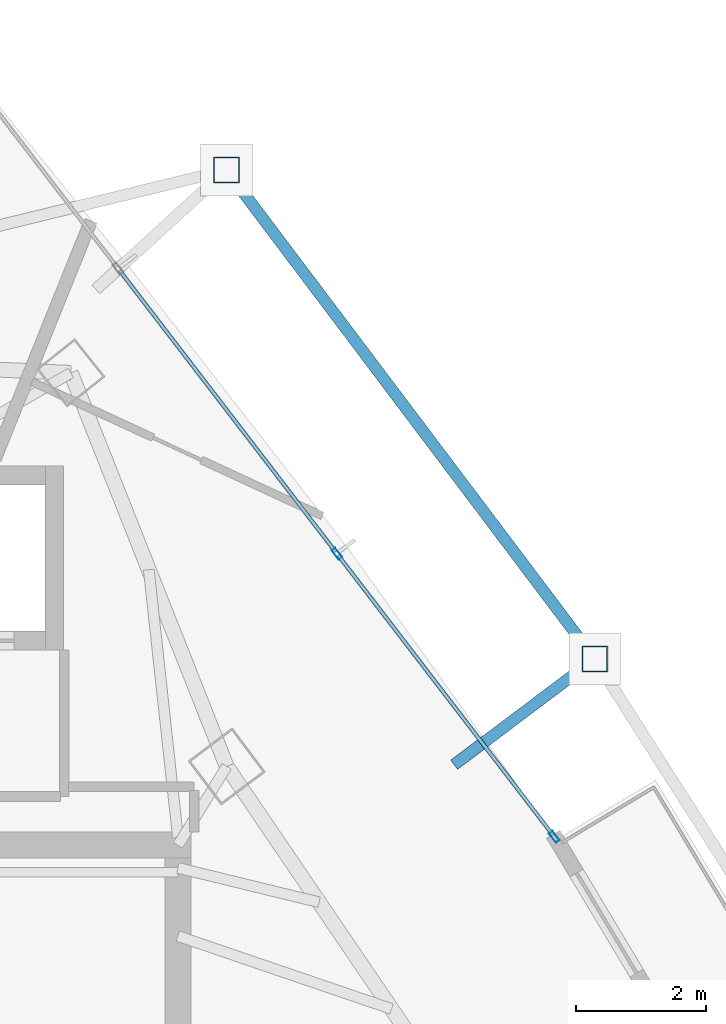
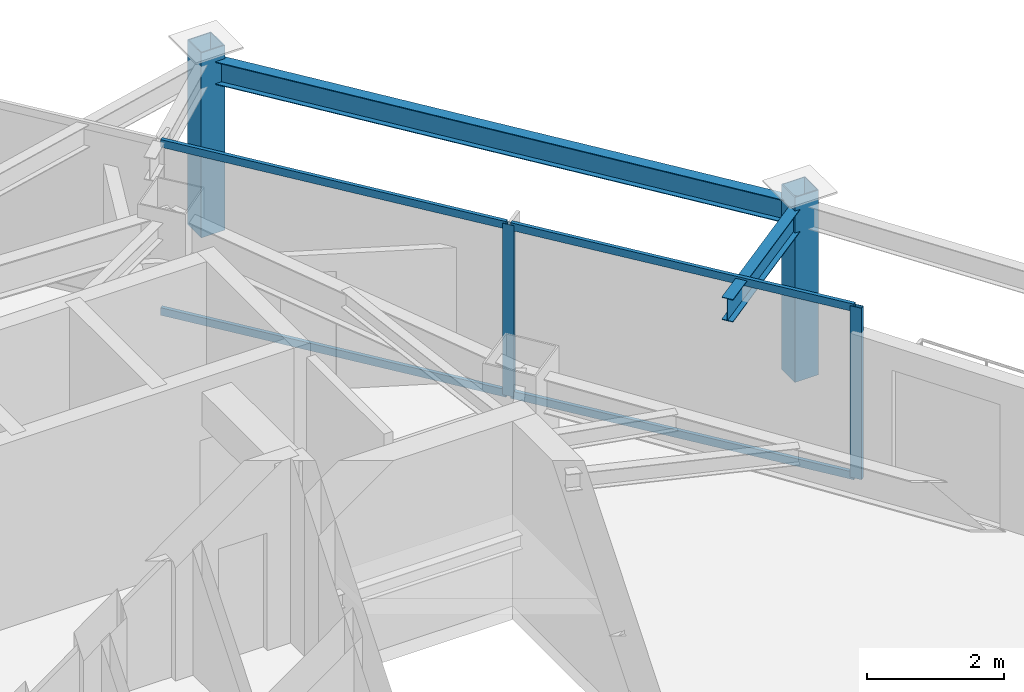
# One storey, part 25 of 31: 8 members, 2 beams, 1 element without a shape of its own.
"""IFC4 building model written with IfcOpenShell, lengths in metres."""

from ifc_helpers import new_model, si_unit, direction, frame, origin, origin_2d, place, context, subcontext, project, spatial, hollow_rectangle, i_section, extrude, material, layer, layer_set, material_profile, profile_set, type_object, element, aggregate, save


model = new_model("IFC4")

# Units and contexts
model_context = context("Model", 3, precision=1e-05, world=origin(), true_north=direction((0.0, 1.0)))
body_context = subcontext(model_context, "Body", "Model", "MODEL_VIEW")
ifc_project = project(units=[si_unit("LENGTHUNIT", "METRE"), si_unit("AREAUNIT", "SQUARE_METRE"), si_unit("VOLUMEUNIT", "CUBIC_METRE"), si_unit("PLANEANGLEUNIT", "RADIAN"), si_unit("MASSUNIT", "GRAM", prefix="KILO")], contexts=[model_context])

# Site, building, storey
site_placement = place(None, origin())
site = spatial("IfcSite", under=ifc_project, at=site_placement, CompositionType="ELEMENT")
building_placement = place(site_placement, origin())
building = spatial("IfcBuilding", under=site, at=building_placement, Name="Orvanel Arch Residences", CompositionType="ELEMENT")
storey_placement = place(building_placement, frame((0.0, 0.0, 157.25)))
storey = spatial("IfcBuildingStorey", under=building, at=storey_placement, Name="L44", CompositionType="ELEMENT", Elevation=157.25)

# Curtain wall, members
ifc_material_1 = material(Name="Bronze-anodised aluminium AA6063-T6", Category="aluminium")
ifc_layer = layer(ifc_material_1, 0.179931640625)
ifc_layer_set = layer_set([ifc_layer], Name="Bronze-anodised aluminium AA6063-T6")
curtain_wall_type = type_object("IfcCurtainWallType", Name="CW3-MID-SYS", PredefinedType="NOTDEFINED", material=ifc_layer_set)
curtain_wall_placement = place(storey_placement, origin())
curtain_wall = element("IfcCurtainWall", 1, at=curtain_wall_placement, inside=storey, type_object=curtain_wall_type, Name="L44 CW3-MID-SYS Unitised Curtain Wall", PredefinedType="NOTDEFINED")
ifc_material_profile_1 = material_profile(ifc_material_1, hollow_rectangle(XDim=0.070068359375, YDim=0.179931640625, WallThickness=0.00439453125, at=origin_2d()), Name="ALU180x70x4.5")
ifc_profile_set_1 = profile_set([ifc_material_profile_1], Name="Bronze-anodised aluminium AA6063-T6")
member_type_1 = type_object("IfcMemberType", Name="MUL-180x70", PredefinedType="MULLION", material=ifc_profile_set_1)
member_1_placement = place(storey_placement, frame((45.399658203125, 34.02880859375, 0.0), z_axis=(0.0, 0.0, 1.0), x_axis=(-0.793223434489, -0.608930688155, 0.0)))
member_1 = element("IfcMember", 2, at=member_1_placement, type_object=member_type_1, Name="CW-S3 mullion 1", PredefinedType="MULLION", context=body_context, shape_type="SweptSolid", body=[
    extrude(hollow_rectangle(XDim=0.070068359375, YDim=0.179931640625, WallThickness=0.00439453125, at=origin_2d()), origin(), (0.0, 0.0, 1.0), 3.06005859375),
])
member_2_placement = place(storey_placement, frame((42.049560546875, 38.392578125, 0.0), z_axis=(0.0, 0.0, 1.0), x_axis=(-0.793223434489, -0.608930688155, 0.0)))
member_2 = element("IfcMember", 3, at=member_2_placement, type_object=member_type_1, Name="CW-S3 mullion 2", PredefinedType="MULLION", context=body_context, shape_type="SweptSolid", body=[
    extrude(hollow_rectangle(XDim=0.070068359375, YDim=0.179931640625, WallThickness=0.00439453125, at=origin_2d()), origin(), (0.0, 0.0, 1.0), 3.06005859375),
])

# Beams
ifc_material_2 = material(Name="Structural steel AS/NZS 3679.1 Grade 300 (300 MPa)", Category="steel")
ifc_material_profile_2 = material_profile(ifc_material_2, i_section(OverallWidth=0.177978515625, OverallDepth=0.406005859375, WebThickness=0.0078125, FlangeThickness=0.0126953125, at=origin_2d()), Name="410UB59.7")
ifc_profile_set_2 = profile_set([ifc_material_profile_2], Name="Structural steel AS/NZS 3679.1 Grade 300 (300 MPa)")
beam_type = type_object("IfcBeamType", Name="OB-410UB-EXT", PredefinedType="SPANDREL", material=ifc_profile_set_2)
beam_1_placement = place(storey_placement, frame((43.85595703125, 35.139892578125, 2.85693359375), z_axis=(0.799134851046, 0.601151802662, 0.0), x_axis=(-0.601151802662, 0.799134851046, 0.0)))
element("IfcBeam", 4, at=beam_1_placement, inside=storey, type_object=beam_type, Name="L44 Outer Frame Radial Tie Beam 11", PredefinedType="SPANDREL", context=body_context, shape_type="SweptSolid", body=[
    extrude(i_section(OverallWidth=0.177978515625, OverallDepth=0.406005859375, WebThickness=0.0078125, FlangeThickness=0.0126953125, at=origin_2d()), origin(), (0.0, 0.0, 1.0), 2.711669921875),
])
beam_2_placement = place(storey_placement, frame((46.02294921875, 36.77001953125, 2.85693359375), z_axis=(-0.601833250966, 0.798621774078, 0.0), x_axis=(-0.798621774078, -0.601833250966, 0.0)))
element("IfcBeam", 5, at=beam_2_placement, inside=storey, type_object=beam_type, Name="L44 Outer Perimeter Floor Ring Beam 11", PredefinedType="SPANDREL", context=body_context, shape_type="SweptSolid", body=[
    extrude(i_section(OverallWidth=0.177978515625, OverallDepth=0.406005859375, WebThickness=0.0078125, FlangeThickness=0.0126953125, at=origin_2d()), origin(), (0.0, 0.0, 1.0), 9.43115234375),
])

# Members
ifc_material_3 = material(Name="Structural steel AS/NZS 1163 C450L0 (Grade 450)", Category="steel")
ifc_material_profile_3 = material_profile(ifc_material_3, hollow_rectangle(XDim=0.39990234375, YDim=0.39990234375, WallThickness=0.01611328125, at=origin_2d()), Name="SHS400x400x16")
ifc_profile_set_3 = profile_set([ifc_material_profile_3], Name="Structural steel AS/NZS 1163 C450L0 (Grade 450)")
member_type_2 = type_object("IfcMemberType", Name="ST-400SHS-EXT", PredefinedType="STRUT", material=ifc_profile_set_3)
for number, where, z_axis, x_axis, name in (
    (6, (46.02294921875, 36.77001953125, 0.0), (0.0, 0.0, 1.0), (1.0, 0.0, 0.0), "L44 Outer Perimeter Frame Post 11"),
    (7, (40.346923828125, 44.302001953125, 0.0), (0.0, 0.0, 1.0), (1.0, 0.0, 0.0), "L44 Outer Perimeter Frame Post 12"),
):
    element("IfcMember", number, at=place(storey_placement, frame(where, z_axis=z_axis, x_axis=x_axis)), inside=storey, type_object=member_type_2, Name=name, PredefinedType="STRUT", context=body_context, shape_type="SweptSolid", body=[
        extrude(hollow_rectangle(XDim=0.39990234375, YDim=0.39990234375, WallThickness=0.01611328125, at=origin_2d()), origin(), (0.0, 0.0, 1.0), 3.300048828125),
    ])

# Member
ifc_material_profile_4 = material_profile(ifc_material_1, hollow_rectangle(XDim=0.06005859375, YDim=0.135009765625, WallThickness=0.00390625, at=origin_2d()), Name="ALU135x60x4")
ifc_profile_set_4 = profile_set([ifc_material_profile_4], Name="Bronze-anodised aluminium AA6063-T6")
member_type_3 = type_object("IfcMemberType", Name="TRN-135x60", PredefinedType="USERDEFINED", material=ifc_profile_set_4)
member_3_placement = place(storey_placement, frame((45.37841796875, 34.056640625, 0.030029296875), z_axis=(-0.608930617314, 0.793223488871, 0.0), x_axis=(-0.793223488871, -0.608930617314, 0.0)))
member_3 = element("IfcMember", 8, at=member_3_placement, type_object=member_type_3, Name="CW-S3 transom 1.1", ObjectType="TRANSOM", PredefinedType="USERDEFINED", context=body_context, shape_type="SweptSolid", body=[
    extrude(hollow_rectangle(XDim=0.06005859375, YDim=0.135009765625, WallThickness=0.00390625, at=origin_2d()), origin(), (0.0, 0.0, 1.0), 5.431396484375),
])

member_4_placement = place(storey_placement, frame((45.37841796875, 34.056640625, 3.030029296875), z_axis=(-0.608930617314, 0.793223488871, 0.0), x_axis=(-0.793223488871, -0.608930617314, 0.0)))
member_4 = element("IfcMember", 9, at=member_4_placement, type_object=member_type_3, Name="CW-S3 transom 1.2", ObjectType="TRANSOM", PredefinedType="USERDEFINED", context=body_context, shape_type="SweptSolid", body=[
    extrude(hollow_rectangle(XDim=0.06005859375, YDim=0.135009765625, WallThickness=0.00390625, at=origin_2d()), origin(), (0.0, 0.0, 1.0), 5.431396484375),
])

member_5_placement = place(storey_placement, frame((42.0283203125, 38.42041015625, 0.030029296875), z_axis=(-0.608916175661, 0.793234575027, 0.0), x_axis=(-0.793234575027, -0.608916175661, 0.0)))
member_5 = element("IfcMember", 10, at=member_5_placement, type_object=member_type_3, Name="CW-S3 transom 2.1", ObjectType="TRANSOM", PredefinedType="USERDEFINED", context=body_context, shape_type="SweptSolid", body=[
    extrude(hollow_rectangle(XDim=0.06005859375, YDim=0.135009765625, WallThickness=0.00390625, at=origin_2d()), origin(), (0.0, 0.0, 1.0), 5.466552734375),
])

member_6_placement = place(storey_placement, frame((42.0283203125, 38.42041015625, 3.030029296875), z_axis=(-0.608916175661, 0.793234575027, 0.0), x_axis=(-0.793234575027, -0.608916175661, 0.0)))
member_6 = element("IfcMember", 11, at=member_6_placement, type_object=member_type_3, Name="CW-S3 transom 2.2", ObjectType="TRANSOM", PredefinedType="USERDEFINED", context=body_context, shape_type="SweptSolid", body=[
    extrude(hollow_rectangle(XDim=0.06005859375, YDim=0.135009765625, WallThickness=0.00390625, at=origin_2d()), origin(), (0.0, 0.0, 1.0), 5.466552734375),
])

aggregate(curtain_wall, [member_1, member_2, member_3, member_4, member_5, member_6])

save(model, "model.ifc")
